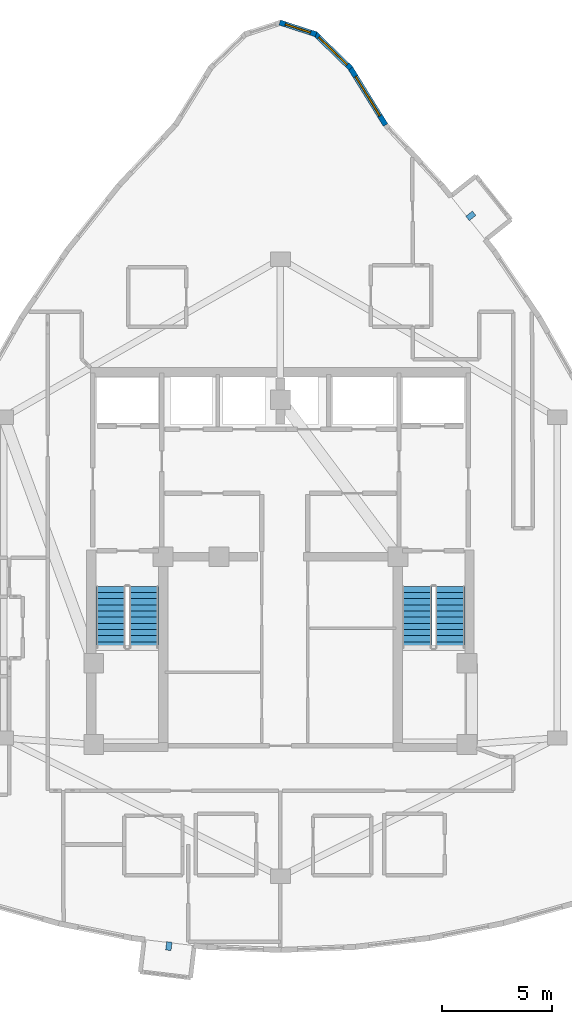
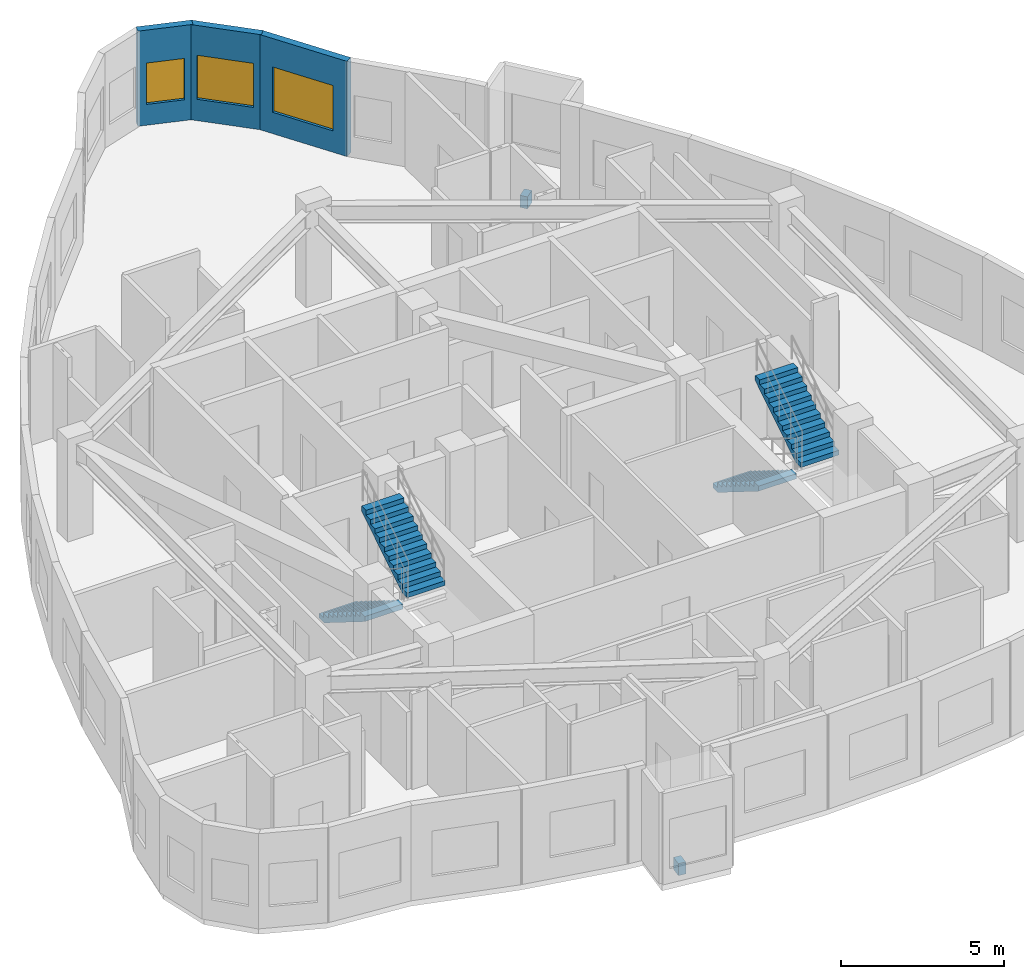
# One storey, part 12 of 13: 4 stair flights, 3 walls, 3 windows, 2 discrete accessories, 3 openings, 2 elements without a shape of their own.
"""IFC4 building model written with IfcOpenShell, lengths in metres."""

from ifc_helpers import new_model, si_unit, direction, frame, frame_2d, origin, origin_2d, place, context, subcontext, project, spatial, polyline, rectangle, outline, extrude, material, layer, layer_set, type_object, element, fill, aggregate, save


model = new_model("IFC4")

# Units and contexts
model_context = context("Model", 3, precision=1e-05, world=origin(), true_north=direction((0.0, 1.0)))
body_context = subcontext(model_context, "Body", "Model", "MODEL_VIEW")
ifc_project = project(units=[si_unit("LENGTHUNIT", "METRE"), si_unit("AREAUNIT", "SQUARE_METRE"), si_unit("VOLUMEUNIT", "CUBIC_METRE"), si_unit("PLANEANGLEUNIT", "RADIAN"), si_unit("MASSUNIT", "GRAM", prefix="KILO")], contexts=[model_context])

# Site, building, storey
site_placement = place(None, origin())
site = spatial("IfcSite", under=ifc_project, at=site_placement, CompositionType="ELEMENT")
building_placement = place(site_placement, origin())
building = spatial("IfcBuilding", under=site, at=building_placement, Name="Miruveldt Soraemaru", CompositionType="ELEMENT")
storey_placement = place(building_placement, frame((0.0, 0.0, 259.699951171875)))
storey = spatial("IfcBuildingStorey", under=building, at=storey_placement, Name="L71", CompositionType="ELEMENT", Elevation=259.699951171875)

# Wall, opening, window
ifc_material_1 = material(Name="Precast concrete C45/55 (45 MPa)", Category="concrete")
ifc_layer = layer(ifc_material_1, 0.239990234375, Name="Precast concrete C45/55 (45 MPa)", Category="concrete")
ifc_layer_set = layer_set([ifc_layer], Name="Precast concrete C45/55 (45 MPa)")
wall_type = type_object("IfcWallType", Name="WALL-EXT-PC240", PredefinedType="SOLIDWALL", material=ifc_layer_set)
wall_1_placement = place(storey_placement, frame((48.786865234375, 63.7119140625, 0.0), z_axis=(0.0, 0.0, 1.0), x_axis=(-0.52607453674, 0.850438464437, 0.0)))
wall_1 = element("IfcWall", 1, at=wall_1_placement, inside=storey, type_object=wall_type, Name="L71 Precast Concrete Facade Wall 1", PredefinedType="SOLIDWALL", context=body_context, shape_type="SweptSolid", body=[
    extrude(rectangle(XDim=3.09130859375, YDim=0.239990234375, at=frame_2d((1.545654296875, 0.0))), origin(), (0.0, 0.0, 1.0), 3.56494140625),
])
opening_1_placement = place(wall_1_placement, frame((0.49609375, 0.0, 0.800048828125)))
opening_1 = element("IfcOpeningElement", 2, at=opening_1_placement, cuts=wall_1, Name="Opening WN-1", PredefinedType="OPENING", context=body_context, shape_type="SweptSolid", body=[
    extrude(rectangle(XDim=2.10009765625, YDim=1.699951171875, at=frame_2d((1.050048828125, 0.85009765625))), frame((0.0, 0.1298828125, 0.0), z_axis=(0.0, -1.0, 0.0), x_axis=(1.0, 0.0, 0.0)), (0.0, 0.0, 1.0), 0.260009765625),
])
ifc_material_2 = material(Name="Triple low-e insulated glazing", Category="glass")
window_type_1 = type_object("IfcWindowType", Name="WIN-PUNCH-2100x1700", PartitioningType="SINGLE_PANEL", PredefinedType="WINDOW", material=ifc_material_2)
window_1_placement = place(opening_1_placement, origin())
window_1 = element("IfcWindow", 3, at=window_1_placement, inside=storey, type_object=window_type_1, Name="L71 Punched Triple-Glazed Window 01.1", OverallHeight=1.699951171875, OverallWidth=2.10009765625, PartitioningType="SINGLE_PANEL", PredefinedType="WINDOW", context=body_context, shape_type="SweptSolid", body=[
    extrude(rectangle(XDim=2.10009765625, YDim=1.699951171875, at=frame_2d((1.050048828125, 0.85009765625))), frame((0.0, 0.030029296875, 0.0), z_axis=(0.0, -1.0, 0.0), x_axis=(1.0, 0.0, 0.0)), (0.0, 0.0, 1.0), 0.06005859375),
])
fill(opening_1, window_1)

wall_2_placement = place(storey_placement, frame((47.2041015625, 66.28662109375, 0.0), z_axis=(0.0, 0.0, 1.0), x_axis=(-0.717766041492, 0.696284359785, 0.0)))
wall_2 = element("IfcWall", 4, at=wall_2_placement, inside=storey, type_object=wall_type, Name="L71 Precast Concrete Facade Wall 2", PredefinedType="SOLIDWALL", context=body_context, shape_type="SweptSolid", body=[
    extrude(rectangle(XDim=2.284423828125, YDim=0.239990234375, at=frame_2d((1.14208984375, 0.0))), origin(), (0.0, 0.0, 1.0), 3.56494140625),
])
opening_2_placement = place(wall_2_placement, frame((0.241943359375, 0.0, 0.800048828125)))
opening_2 = element("IfcOpeningElement", 5, at=opening_2_placement, cuts=wall_2, Name="Opening WN-2", PredefinedType="OPENING", context=body_context, shape_type="SweptSolid", body=[
    extrude(rectangle(XDim=1.800048828125, YDim=1.64990234375, at=frame_2d((0.89990234375, 0.824951171875))), frame((0.0, 0.1298828125, 0.0), z_axis=(0.0, -1.0, 0.0), x_axis=(1.0, 0.0, 0.0)), (0.0, 0.0, 1.0), 0.260009765625),
])
window_type_2 = type_object("IfcWindowType", Name="WIN-PUNCH-1800x1650", PartitioningType="SINGLE_PANEL", PredefinedType="WINDOW", material=ifc_material_2)
window_2_placement = place(opening_2_placement, origin())
window_2 = element("IfcWindow", 6, at=window_2_placement, inside=storey, type_object=window_type_2, Name="L71 Punched Triple-Glazed Window 02.1", OverallHeight=1.64990234375, OverallWidth=1.800048828125, PartitioningType="SINGLE_PANEL", PredefinedType="WINDOW", context=body_context, shape_type="SweptSolid", body=[
    extrude(rectangle(XDim=1.800048828125, YDim=1.64990234375, at=frame_2d((0.89990234375, 0.824951171875))), frame((0.0, 0.030029296875, 0.0), z_axis=(0.0, -1.0, 0.0), x_axis=(1.0, 0.0, 0.0)), (0.0, 0.0, 1.0), 0.06005859375),
])
fill(opening_2, window_2)

wall_3_placement = place(storey_placement, frame((45.622802734375, 67.842041015625, 0.0), z_axis=(0.0, 0.0, 1.0), x_axis=(-0.951465057443, 0.307756794343, 0.0)))
wall_3 = element("IfcWall", 7, at=wall_3_placement, inside=storey, type_object=wall_type, Name="L71 Precast Concrete Facade Wall 3", PredefinedType="SOLIDWALL", context=body_context, shape_type="SweptSolid", body=[
    extrude(rectangle(XDim=1.740478515625, YDim=0.239990234375, at=frame_2d((0.8701171875, 0.0))), origin(), (0.0, 0.0, 1.0), 3.56494140625),
])
opening_3_placement = place(wall_3_placement, frame((0.27001953125, 0.0, 0.780029296875)))
opening_3 = element("IfcOpeningElement", 8, at=opening_3_placement, cuts=wall_3, Name="Opening WN-4", PredefinedType="OPENING", context=body_context, shape_type="SweptSolid", body=[
    extrude(rectangle(XDim=1.199951171875, YDim=1.550048828125, at=frame_2d((0.60009765625, 0.77490234375))), frame((0.0, 0.1298828125, 0.0), z_axis=(0.0, -1.0, 0.0), x_axis=(1.0, 0.0, 0.0)), (0.0, 0.0, 1.0), 0.260009765625),
])
window_type_3 = type_object("IfcWindowType", Name="WIN-PUNCH-1200x1550", PartitioningType="SINGLE_PANEL", PredefinedType="WINDOW", material=ifc_material_2)
window_3_placement = place(opening_3_placement, origin())
window_3 = element("IfcWindow", 9, at=window_3_placement, inside=storey, type_object=window_type_3, Name="L71 Punched Triple-Glazed Window 03.1", OverallHeight=1.550048828125, OverallWidth=1.199951171875, PartitioningType="SINGLE_PANEL", PredefinedType="WINDOW", context=body_context, shape_type="SweptSolid", body=[
    extrude(rectangle(XDim=1.199951171875, YDim=1.550048828125, at=frame_2d((0.60009765625, 0.77490234375))), frame((0.0, 0.030029296875, 0.0), z_axis=(0.0, -1.0, 0.0), x_axis=(1.0, 0.0, 0.0)), (0.0, 0.0, 1.0), 0.06005859375),
])
fill(opening_3, window_3)

# Stair, stair flights
ifc_material_3 = material(Name="Concrete C40/50 (40 MPa)", Category="concrete")
stair_type = type_object("IfcStairType", Name="STAIR-DL-385", PredefinedType="HALF_TURN_STAIR", material=ifc_material_3)
stair_1_placement = place(storey_placement, origin())
stair_1 = element("IfcStair", 10, at=stair_1_placement, inside=storey, type_object=stair_type, Name="L71 Protected Exit Stair ST-1", PredefinedType="HALF_TURN_STAIR")
stair_flight_type = type_object("IfcStairFlightType", Name="SFL-DL-385", PredefinedType="STRAIGHT", material=ifc_material_3)
stair_flight_1_placement = place(storey_placement, frame((36.27490234375, 42.699951171875, 0.0), z_axis=(0.0, 0.0, 1.0), x_axis=(0.0, -1.0, 0.0)))
stair_flight_1 = element("IfcStairFlight", 11, at=stair_flight_1_placement, type_object=stair_flight_type, Name="ST-1 flight 1", NumberOfRisers=11, NumberOfTreads=10, PredefinedType="STRAIGHT", RiserHeight=0.175, TreadLength=0.28, context=body_context, shape_type="SweptSolid", body=[
    extrude(outline(polyline([(0.0, 0.0), (0.0, 0.175048828125), (0.280029296875, 0.175048828125), (0.280029296875, 0.35009765625), (0.56005859375, 0.35009765625), (0.56005859375, 0.52490234375), (0.840087890625, 0.52490234375), (0.840087890625, 0.699951171875), (1.1201171875, 0.699951171875), (1.1201171875, 0.875), (1.39990234375, 0.875), (1.39990234375, 1.050048828125), (1.679931640625, 1.050048828125), (1.679931640625, 1.22509765625), (1.9599609375, 1.22509765625), (1.9599609375, 1.39990234375), (2.239990234375, 1.39990234375), (2.239990234375, 1.574951171875), (2.52001953125, 1.574951171875), (2.52001953125, 1.75), (2.800048828125, 1.75), (2.800048828125, 1.925048828125), (2.800048828125, 1.5615234375), (0.3017578125, 0.0), (0.0, 0.0)])), frame((0.0, 0.675048828125, 0.0), z_axis=(0.0, -1.0, 0.0), x_axis=(1.0, 0.0, 0.0)), (0.0, 0.0, 1.0), 1.35009765625),
])
stair_flight_2_placement = place(storey_placement, frame((37.77490234375, 39.89990234375, 1.925048828125), z_axis=(0.0, 0.0, 1.0), x_axis=(0.0, 1.0, 0.0)))
stair_flight_2 = element("IfcStairFlight", 12, at=stair_flight_2_placement, type_object=stair_flight_type, Name="ST-1 flight 2", NumberOfRisers=11, NumberOfTreads=10, PredefinedType="STRAIGHT", RiserHeight=0.175, TreadLength=0.28, context=body_context, shape_type="SweptSolid", body=[
    extrude(outline(polyline([(0.0, 0.0), (0.0, 0.175048828125), (0.280029296875, 0.175048828125), (0.280029296875, 0.35009765625), (0.56005859375, 0.35009765625), (0.56005859375, 0.52490234375), (0.840087890625, 0.52490234375), (0.840087890625, 0.699951171875), (1.1201171875, 0.699951171875), (1.1201171875, 0.875), (1.39990234375, 0.875), (1.39990234375, 1.050048828125), (1.679931640625, 1.050048828125), (1.679931640625, 1.22509765625), (1.9599609375, 1.22509765625), (1.9599609375, 1.39990234375), (2.239990234375, 1.39990234375), (2.239990234375, 1.574951171875), (2.52001953125, 1.574951171875), (2.52001953125, 1.75), (2.800048828125, 1.75), (2.800048828125, 1.925048828125), (2.800048828125, 1.5615234375), (0.3017578125, 0.0), (0.0, 0.0)])), frame((0.0, 0.675048828125, 0.0), z_axis=(0.0, -1.0, 0.0), x_axis=(1.0, 0.0, 0.0)), (0.0, 0.0, 1.0), 1.35009765625),
])
aggregate(stair_1, [stair_flight_1, stair_flight_2])

stair_2_placement = place(storey_placement, origin())
stair_2 = element("IfcStair", 13, at=stair_2_placement, inside=storey, type_object=stair_type, Name="L71 Protected Exit Stair ST-2", PredefinedType="HALF_TURN_STAIR")
stair_flight_3_placement = place(storey_placement, frame((50.22509765625, 42.699951171875, 0.0), z_axis=(0.0, 0.0, 1.0), x_axis=(0.0, -1.0, 0.0)))
stair_flight_3 = element("IfcStairFlight", 14, at=stair_flight_3_placement, type_object=stair_flight_type, Name="ST-2 flight 1", NumberOfRisers=11, NumberOfTreads=10, PredefinedType="STRAIGHT", RiserHeight=0.175, TreadLength=0.28, context=body_context, shape_type="SweptSolid", body=[
    extrude(outline(polyline([(0.0, 0.0), (0.0, 0.175048828125), (0.280029296875, 0.175048828125), (0.280029296875, 0.35009765625), (0.56005859375, 0.35009765625), (0.56005859375, 0.52490234375), (0.840087890625, 0.52490234375), (0.840087890625, 0.699951171875), (1.1201171875, 0.699951171875), (1.1201171875, 0.875), (1.39990234375, 0.875), (1.39990234375, 1.050048828125), (1.679931640625, 1.050048828125), (1.679931640625, 1.22509765625), (1.9599609375, 1.22509765625), (1.9599609375, 1.39990234375), (2.239990234375, 1.39990234375), (2.239990234375, 1.574951171875), (2.52001953125, 1.574951171875), (2.52001953125, 1.75), (2.800048828125, 1.75), (2.800048828125, 1.925048828125), (2.800048828125, 1.5615234375), (0.3017578125, 0.0), (0.0, 0.0)])), frame((0.0, 0.675048828125, 0.0), z_axis=(0.0, -1.0, 0.0), x_axis=(1.0, 0.0, 0.0)), (0.0, 0.0, 1.0), 1.35009765625),
])
stair_flight_4_placement = place(storey_placement, frame((51.72509765625, 39.89990234375, 1.925048828125), z_axis=(0.0, 0.0, 1.0), x_axis=(0.0, 1.0, 0.0)))
stair_flight_4 = element("IfcStairFlight", 15, at=stair_flight_4_placement, type_object=stair_flight_type, Name="ST-2 flight 2", NumberOfRisers=11, NumberOfTreads=10, PredefinedType="STRAIGHT", RiserHeight=0.175, TreadLength=0.28, context=body_context, shape_type="SweptSolid", body=[
    extrude(outline(polyline([(0.0, 0.0), (0.0, 0.175048828125), (0.280029296875, 0.175048828125), (0.280029296875, 0.35009765625), (0.56005859375, 0.35009765625), (0.56005859375, 0.52490234375), (0.840087890625, 0.52490234375), (0.840087890625, 0.699951171875), (1.1201171875, 0.699951171875), (1.1201171875, 0.875), (1.39990234375, 0.875), (1.39990234375, 1.050048828125), (1.679931640625, 1.050048828125), (1.679931640625, 1.22509765625), (1.9599609375, 1.22509765625), (1.9599609375, 1.39990234375), (2.239990234375, 1.39990234375), (2.239990234375, 1.574951171875), (2.52001953125, 1.574951171875), (2.52001953125, 1.75), (2.800048828125, 1.75), (2.800048828125, 1.925048828125), (2.800048828125, 1.5615234375), (0.3017578125, 0.0), (0.0, 0.0)])), frame((0.0, 0.675048828125, 0.0), z_axis=(0.0, -1.0, 0.0), x_axis=(1.0, 0.0, 0.0)), (0.0, 0.0, 1.0), 1.35009765625),
])
aggregate(stair_2, [stair_flight_3, stair_flight_4])

# Discrete accessories
ifc_material_4 = material(Name="Steel SM355 (355 MPa)", Category="steel")
discrete_accessory_type = type_object("IfcDiscreteAccessoryType", Name="ACC-BAY-BRK", PredefinedType="BRACKET", material=ifc_material_4)
for number, where, z_axis, x_axis, name in (
    (16, (38.918701171875, 26.32275390625, -0.72998046875), (0.0, 0.0, 1.0), (-0.119149147143, -0.992876367296, 0.0), "L71 Bay Window Cantilever Bracket 1"),
    (17, (52.668701171875, 59.572509765625, -0.72998046875), (0.0, 0.0, 1.0), (0.781738199863, 0.623606756598, 0.0), "L71 Bay Window Cantilever Bracket 2"),
):
    element("IfcDiscreteAccessory", number, at=place(storey_placement, frame(where, z_axis=z_axis, x_axis=x_axis)), inside=storey, type_object=discrete_accessory_type, Name=name, PredefinedType="BRACKET", context=body_context, shape_type="SweptSolid", body=[
        extrude(rectangle(XDim=0.3798828125, YDim=0.25, at=origin_2d()), origin(), (0.0, 0.0, 1.0), 0.449951171875),
    ])

save(model, "model.ifc")
